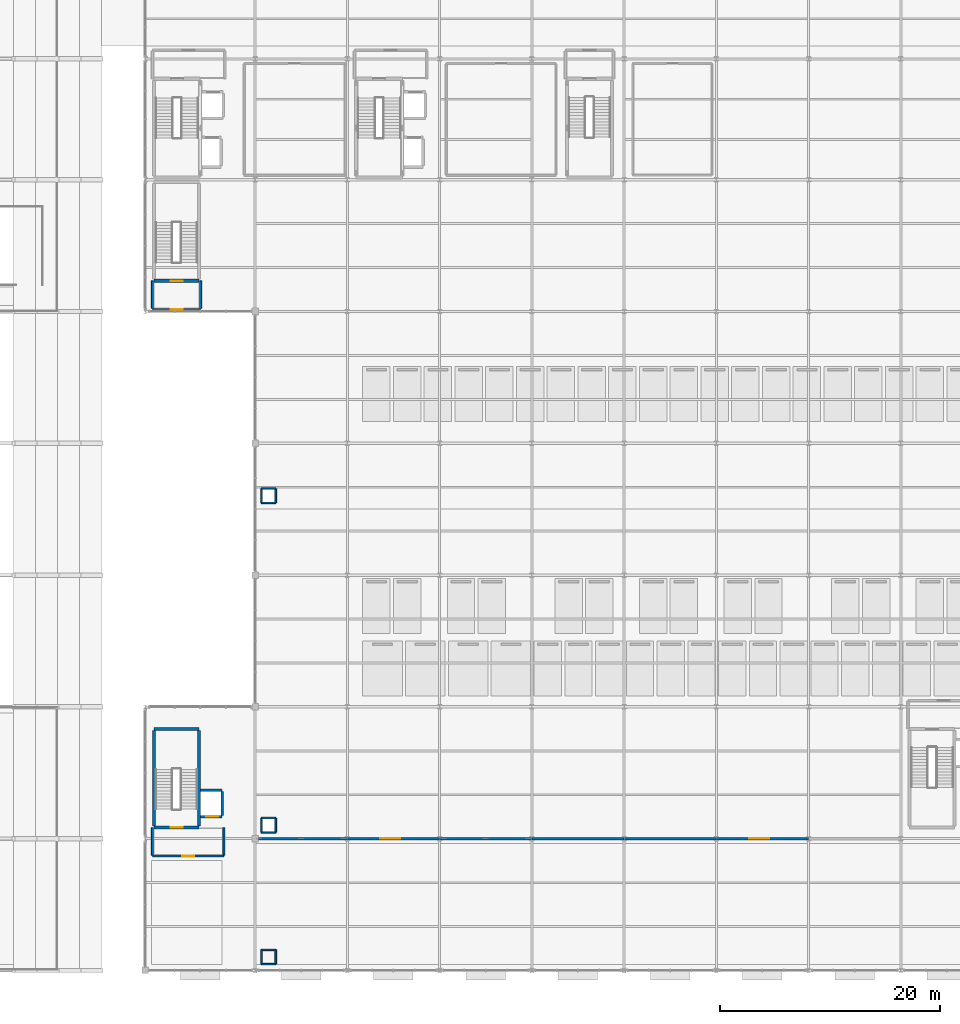
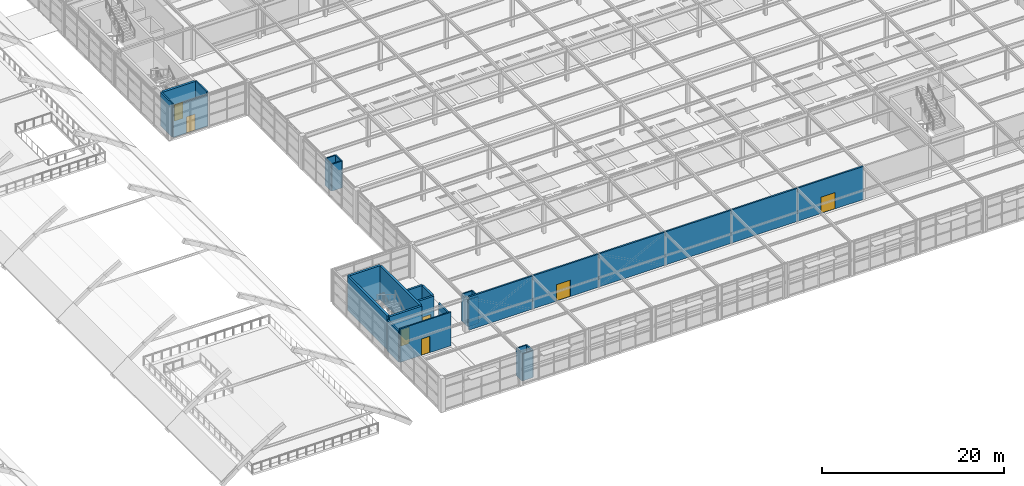
# One storey, part 62 of 82: 32 walls, 7 doors, 7 openings.
"""IFC4 building model written with IfcOpenShell, lengths in metres."""

from ifc_helpers import new_model, si_unit, direction, frame, frame_2d, origin, place, context, subcontext, project, spatial, rectangle, extrude, material, layer, layer_set, type_object, element, fill, save


model = new_model("IFC4")

# Units and contexts
model_context = context("Model", 3, precision=1e-05, world=origin(), true_north=direction((0.0, 1.0)))
body_context = subcontext(model_context, "Body", "Model", "MODEL_VIEW")
ifc_project = project(units=[si_unit("LENGTHUNIT", "METRE"), si_unit("AREAUNIT", "SQUARE_METRE"), si_unit("VOLUMEUNIT", "CUBIC_METRE"), si_unit("PLANEANGLEUNIT", "RADIAN"), si_unit("MASSUNIT", "GRAM", prefix="KILO")], contexts=[model_context])

# Site, building, storey
site_placement = place(None, origin())
site = spatial("IfcSite", under=ifc_project, at=site_placement, CompositionType="ELEMENT")
building_placement = place(site_placement, origin())
building = spatial("IfcBuilding", under=site, at=building_placement, Name="Sitalva Quay Ferry Terminal", CompositionType="ELEMENT")
storey_placement = place(building_placement, frame((0.0, 0.0, 5.39990234375)))
storey = spatial("IfcBuildingStorey", under=building, at=storey_placement, Name="L02", CompositionType="ELEMENT", Elevation=5.39990234375)

# Wall, opening, door
ifc_material_1 = material(Name="Concrete C40/50", Category="concrete")
ifc_layer_1 = layer(ifc_material_1, 0.280029296875)
ifc_layer_set_1 = layer_set([ifc_layer_1], Name="Concrete C40/50")
wall_type_1 = type_object("IfcWallType", Name="Wall_CoreShear_280", PredefinedType="SHEAR", material=ifc_layer_set_1)
wall_1_placement = place(storey_placement, frame((74.800048828125, 19.0, 0.0), z_axis=(0.0, 0.0, 1.0), x_axis=(1.0, 0.0, 0.0)))
wall_1 = element("IfcWall", 1, at=wall_1_placement, inside=storey, type_object=wall_type_1, Name="Core C6 L02 south shear wall", PredefinedType="SHEAR", context=body_context, shape_type="SweptSolid", body=[
    extrude(rectangle(XDim=4.099853515625, YDim=0.280029296875, at=frame_2d((2.0498046875, 0.0))), origin(), (0.0, 0.0, 1.0), 4.5400390625),
])
opening_1_placement = place(wall_1_placement, frame((1.5, 0.0, 0.0)))
opening_1 = element("IfcOpeningElement", 2, at=opening_1_placement, cuts=wall_1, Name="Opening D-L02-023", PredefinedType="OPENING", context=body_context, shape_type="SweptSolid", body=[
    extrude(rectangle(XDim=1.10009765625, YDim=2.199951171875, at=frame_2d((0.550048828125, 1.10009765625))), frame((0.0, 0.14990234375, 0.0), z_axis=(0.0, -1.0, 0.0), x_axis=(1.0, 0.0, 0.0)), (0.0, 0.0, 1.0), 0.300048828125),
])
ifc_material_2 = material(Name="Galvanised Steel Fire Door", Category="steel")
door_type_1 = type_object("IfcDoorType", Name="Door_CoreExit_1100x2200", OperationType="SINGLE_SWING_LEFT", PredefinedType="DOOR", material=ifc_material_2)
door_1_placement = place(opening_1_placement, origin())
door_1 = element("IfcDoor", 3, at=door_1_placement, inside=storey, type_object=door_type_1, Name="DOOR-D-L02-023 Protected stair ST-06 door D-L02-023", OperationType="SINGLE_SWING_LEFT", OverallHeight=2.199951171875, OverallWidth=1.10009765625, PredefinedType="DOOR", context=body_context, shape_type="SweptSolid", body=[
    extrude(rectangle(XDim=1.10009765625, YDim=2.199951171875, at=frame_2d((0.550048828125, 1.10009765625))), frame((0.0, 0.02490234375, 0.0), z_axis=(0.0, -1.0, 0.0), x_axis=(1.0, 0.0, 0.0)), (0.0, 0.0, 1.0), 0.050048828125),
])
fill(opening_1, door_1)

# Walls
wall_2_placement = place(storey_placement, frame((74.800048828125, 28.0, 0.0), z_axis=(0.0, 0.0, 1.0), x_axis=(1.0, 0.0, 0.0)))
element("IfcWall", 4, at=wall_2_placement, inside=storey, type_object=wall_type_1, Name="Core C6 L02 north shear wall", PredefinedType="SHEAR", context=body_context, shape_type="SweptSolid", body=[
    extrude(rectangle(XDim=4.099853515625, YDim=0.280029296875, at=frame_2d((2.0498046875, 0.0))), origin(), (0.0, 0.0, 1.0), 4.5400390625),
])
for number, where, z_axis, x_axis, name in (
    (5, (74.800048828125, 19.139892578125, 0.0), (0.0, 0.0, 1.0), (0.0, 1.0, 0.0), "Core C6 L02 west shear wall"),
    (6, (78.89990234375, 19.139892578125, 0.0), (0.0, 0.0, 1.0), (0.0, 1.0, 0.0), "Core C6 L02 east shear wall"),
):
    element("IfcWall", number, at=place(storey_placement, frame(where, z_axis=z_axis, x_axis=x_axis)), inside=storey, type_object=wall_type_1, Name=name, PredefinedType="SHEAR", context=body_context, shape_type="SweptSolid", body=[
        extrude(rectangle(XDim=8.72021484375, YDim=0.280029296875, at=frame_2d((4.360107421875, 0.0))), origin(), (0.0, 0.0, 1.0), 4.5400390625),
    ])

# Wall, opening, door
wall_3_placement = place(storey_placement, frame((74.800048828125, 68.800048828125, 0.0), z_axis=(0.0, 0.0, 1.0), x_axis=(1.0, 0.0, 0.0)))
wall_3 = element("IfcWall", 7, at=wall_3_placement, inside=storey, type_object=wall_type_1, Name="Core C11 L02 south shear wall", PredefinedType="SHEAR", context=body_context, shape_type="SweptSolid", body=[
    extrude(rectangle(XDim=4.099853515625, YDim=0.280029296875, at=frame_2d((2.0498046875, 0.0))), origin(), (0.0, 0.0, 1.0), 4.5),
])
opening_2_placement = place(wall_3_placement, frame((1.5, 0.0, 0.0)))
opening_2 = element("IfcOpeningElement", 8, at=opening_2_placement, cuts=wall_3, Name="Opening D-L02-040", PredefinedType="OPENING", context=body_context, shape_type="SweptSolid", body=[
    extrude(rectangle(XDim=1.10009765625, YDim=2.199951171875, at=frame_2d((0.550048828125, 1.10009765625))), frame((0.0, 0.14990234375, 0.0), z_axis=(0.0, -1.0, 0.0), x_axis=(1.0, 0.0, 0.0)), (0.0, 0.0, 1.0), 0.300048828125),
])
door_2_placement = place(opening_2_placement, origin())
door_2 = element("IfcDoor", 9, at=door_2_placement, inside=storey, type_object=door_type_1, Name="DOOR-D-L02-040 Protected stair ST-13 door D-L02-040", OperationType="SINGLE_SWING_RIGHT", OverallHeight=2.199951171875, OverallWidth=1.10009765625, PredefinedType="DOOR", context=body_context, shape_type="SweptSolid", body=[
    extrude(rectangle(XDim=1.10009765625, YDim=2.199951171875, at=frame_2d((0.550048828125, 1.10009765625))), frame((0.0, 0.02490234375, 0.0), z_axis=(0.0, -1.0, 0.0), x_axis=(1.0, 0.0, 0.0)), (0.0, 0.0, 1.0), 0.050048828125),
])
fill(opening_2, door_2)

# Wall
ifc_material_3 = material(Name="Concrete Blockwork C25/30", Category="masonry")
ifc_layer_2 = layer(ifc_material_3, 0.199951171875)
ifc_layer_set_2 = layer_set([ifc_layer_2], Name="Concrete Blockwork C25/30")
wall_type_2 = type_object("IfcWallType", Name="Wall_FireComp_200", PredefinedType="SOLIDWALL", material=ifc_layer_set_2)
wall_4_placement = place(storey_placement, frame((84.300048828125, 18.0, 0.0), z_axis=(0.0, 0.0, 1.0), x_axis=(1.0, 0.0, 0.0)))
element("IfcWall", 10, at=wall_4_placement, inside=storey, type_object=wall_type_2, Name="L02 concourse-to-deck fire wall IW-L02-0201", PredefinedType="SOLIDWALL", context=body_context, shape_type="SweptSolid", body=[
    extrude(rectangle(XDim=8.094970703125, YDim=0.199951171875, at=frame_2d((4.04736328125, 0.0))), origin(), (0.0, 0.0, 1.0), 4.4501953125),
])

# Wall, opening, door
wall_5_placement = place(storey_placement, frame((92.405029296875, 18.0, 0.0), z_axis=(0.0, 0.0, 1.0), x_axis=(1.0, 0.0, 0.0)))
wall_5 = element("IfcWall", 11, at=wall_5_placement, inside=storey, type_object=wall_type_2, Name="L02 concourse-to-deck fire wall IW-L02-0202", PredefinedType="SOLIDWALL", context=body_context, shape_type="SweptSolid", body=[
    extrude(rectangle(XDim=8.389892578125, YDim=0.199951171875, at=frame_2d((4.19482421875, 0.0))), origin(), (0.0, 0.0, 1.0), 4.4501953125),
])
opening_3_placement = place(wall_5_placement, frame((3.0, 0.0, 0.0)))
opening_3 = element("IfcOpeningElement", 12, at=opening_3_placement, cuts=wall_5, Name="Opening ID-L02-071", PredefinedType="OPENING", context=body_context, shape_type="SweptSolid", body=[
    extrude(rectangle(XDim=1.800048828125, YDim=2.199951171875, at=frame_2d((0.89990234375, 1.10009765625))), frame((0.0, 0.10986328125, 0.0), z_axis=(0.0, -1.0, 0.0), x_axis=(1.0, 0.0, 0.0)), (0.0, 0.0, 1.0), 0.219970703125),
])
ifc_material_4 = material(Name="Glazed Steel Fire Door", Category="steel")
door_type_2 = type_object("IfcDoorType", Name="Door_FireCorridor_1800x2200", OperationType="DOUBLE_DOOR_SINGLE_SWING", PredefinedType="DOOR", material=ifc_material_4)
door_3_placement = place(opening_3_placement, origin())
door_3 = element("IfcDoor", 13, at=door_3_placement, inside=storey, type_object=door_type_2, Name="IDOOR-ID-L02-071 L02 deck passenger vestibule door ID-L02-071", OperationType="DOUBLE_DOOR_SINGLE_SWING", OverallHeight=2.199951171875, OverallWidth=1.800048828125, PredefinedType="DOOR", context=body_context, shape_type="SweptSolid", body=[
    extrude(rectangle(XDim=1.800048828125, YDim=2.199951171875, at=frame_2d((0.89990234375, 1.10009765625))), frame((0.0, 0.02490234375, 0.0), z_axis=(0.0, -1.0, 0.0), x_axis=(1.0, 0.0, 0.0)), (0.0, 0.0, 1.0), 0.050048828125),
])
fill(opening_3, door_3)

# Walls
wall_6_placement = place(storey_placement, frame((100.804931640625, 18.0, 0.0), z_axis=(0.0, 0.0, 1.0), x_axis=(1.0, 0.0, 0.0)))
element("IfcWall", 14, at=wall_6_placement, inside=storey, type_object=wall_type_2, Name="L02 concourse-to-deck fire wall IW-L02-0203", PredefinedType="SOLIDWALL", context=body_context, shape_type="SweptSolid", body=[
    extrude(rectangle(XDim=8.39013671875, YDim=0.199951171875, at=frame_2d((4.195068359375, 0.0))), origin(), (0.0, 0.0, 1.0), 4.4501953125),
])
wall_7_placement = place(storey_placement, frame((109.205078125, 18.0, 0.0), z_axis=(0.0, 0.0, 1.0), x_axis=(1.0, 0.0, 0.0)))
element("IfcWall", 15, at=wall_7_placement, inside=storey, type_object=wall_type_2, Name="L02 concourse-to-deck fire wall IW-L02-0204", PredefinedType="SOLIDWALL", context=body_context, shape_type="SweptSolid", body=[
    extrude(rectangle(XDim=8.389892578125, YDim=0.199951171875, at=frame_2d((4.19482421875, 0.0))), origin(), (0.0, 0.0, 1.0), 4.4501953125),
])
wall_8_placement = place(storey_placement, frame((117.60498046875, 18.0, 0.0), z_axis=(0.0, 0.0, 1.0), x_axis=(1.0, 0.0, 0.0)))
element("IfcWall", 16, at=wall_8_placement, inside=storey, type_object=wall_type_2, Name="L02 concourse-to-deck fire wall IW-L02-0205", PredefinedType="SOLIDWALL", context=body_context, shape_type="SweptSolid", body=[
    extrude(rectangle(XDim=8.39013671875, YDim=0.199951171875, at=frame_2d((4.195068359375, 0.0))), origin(), (0.0, 0.0, 1.0), 4.4501953125),
])

# Wall, opening, door
wall_9_placement = place(storey_placement, frame((126.0048828125, 18.0, 0.0), z_axis=(0.0, 0.0, 1.0), x_axis=(1.0, 0.0, 0.0)))
wall_9 = element("IfcWall", 17, at=wall_9_placement, inside=storey, type_object=wall_type_2, Name="L02 concourse-to-deck fire wall IW-L02-0206", PredefinedType="SOLIDWALL", context=body_context, shape_type="SweptSolid", body=[
    extrude(rectangle(XDim=8.39013671875, YDim=0.199951171875, at=frame_2d((4.195068359375, 0.0))), origin(), (0.0, 0.0, 1.0), 4.4501953125),
])
opening_4_placement = place(wall_9_placement, frame((3.0, 0.0, 0.0)))
opening_4 = element("IfcOpeningElement", 18, at=opening_4_placement, cuts=wall_9, Name="Opening ID-L02-072", PredefinedType="OPENING", context=body_context, shape_type="SweptSolid", body=[
    extrude(rectangle(XDim=1.800048828125, YDim=2.199951171875, at=frame_2d((0.89990234375, 1.10009765625))), frame((0.0, 0.10986328125, 0.0), z_axis=(0.0, -1.0, 0.0), x_axis=(1.0, 0.0, 0.0)), (0.0, 0.0, 1.0), 0.219970703125),
])
door_4_placement = place(opening_4_placement, origin())
door_4 = element("IfcDoor", 19, at=door_4_placement, inside=storey, type_object=door_type_2, Name="IDOOR-ID-L02-072 L02 deck passenger vestibule door ID-L02-072", OperationType="DOUBLE_DOOR_SINGLE_SWING", OverallHeight=2.199951171875, OverallWidth=1.800048828125, PredefinedType="DOOR", context=body_context, shape_type="SweptSolid", body=[
    extrude(rectangle(XDim=1.800048828125, YDim=2.199951171875, at=frame_2d((0.89990234375, 1.10009765625))), frame((0.0, 0.02490234375, 0.0), z_axis=(0.0, -1.0, 0.0), x_axis=(1.0, 0.0, 0.0)), (0.0, 0.0, 1.0), 0.050048828125),
])
fill(opening_4, door_4)

ifc_material_5 = material(Name="Fire-Rated Blockwork C25/30", Category="masonry")
ifc_layer_3 = layer(ifc_material_5, 0.179931640625)
ifc_layer_set_3 = layer_set([ifc_layer_3], Name="Fire-Rated Blockwork C25/30")
wall_type_3 = type_object("IfcWallType", Name="Wall_FireLobby_180", PredefinedType="SOLIDWALL", material=ifc_layer_set_3)
wall_10_placement = place(storey_placement, frame((74.64990234375, 16.39990234375, 0.0), z_axis=(0.0, 0.0, 1.0), x_axis=(1.0, 0.0, 0.0)))
wall_10 = element("IfcWall", 20, at=wall_10_placement, inside=storey, type_object=wall_type_3, Name="Firefighting & Lift Lobby C6 S wall IW-L02-0061", PredefinedType="SOLIDWALL", context=body_context, shape_type="SweptSolid", body=[
    extrude(rectangle(XDim=6.5, YDim=0.179931640625, at=frame_2d((3.25, 0.0))), origin(), (0.0, 0.0, 1.0), 4.5),
])
opening_5_placement = place(wall_10_placement, frame((2.699951171875, 0.0, 0.0)))
opening_5 = element("IfcOpeningElement", 21, at=opening_5_placement, cuts=wall_10, Name="Opening ID-L02-021", PredefinedType="OPENING", context=body_context, shape_type="SweptSolid", body=[
    extrude(rectangle(XDim=1.10009765625, YDim=2.199951171875, at=frame_2d((0.550048828125, 1.10009765625))), frame((0.0, 0.099853515625, 0.0), z_axis=(0.0, -1.0, 0.0), x_axis=(1.0, 0.0, 0.0)), (0.0, 0.0, 1.0), 0.199951171875),
])
ifc_material_6 = material(Name="Steel Fire Door", Category="steel")
door_type_3 = type_object("IfcDoorType", Name="Door_FireLobby_1100x2200", OperationType="SINGLE_SWING_LEFT", PredefinedType="DOOR", material=ifc_material_6)
door_5_placement = place(opening_5_placement, origin())
door_5 = element("IfcDoor", 22, at=door_5_placement, inside=storey, type_object=door_type_3, Name="IDOOR-ID-L02-021 Firefighting & Lift Lobby C6 entrance ID-L02-021", OperationType="SINGLE_SWING_LEFT", OverallHeight=2.199951171875, OverallWidth=1.10009765625, PredefinedType="DOOR", context=body_context, shape_type="SweptSolid", body=[
    extrude(rectangle(XDim=1.10009765625, YDim=2.199951171875, at=frame_2d((0.550048828125, 1.10009765625))), frame((0.0, 0.02490234375, 0.0), z_axis=(0.0, -1.0, 0.0), x_axis=(1.0, 0.0, 0.0)), (0.0, 0.0, 1.0), 0.050048828125),
])
fill(opening_5, door_5)

# Walls
for number, where, z_axis, x_axis, name in (
    (23, (74.64990234375, 16.489990234375, 0.0), (0.0, 0.0, 1.0), (0.0, 1.0, 0.0), "Firefighting & Lift Lobby C6 W wall IW-L02-0062"),
    (24, (81.14990234375, 16.489990234375, 0.0), (0.0, 0.0, 1.0), (0.0, 1.0, 0.0), "Firefighting & Lift Lobby C6 E wall IW-L02-0063"),
):
    element("IfcWall", number, at=place(storey_placement, frame(where, z_axis=z_axis, x_axis=x_axis)), inside=storey, type_object=wall_type_3, Name=name, PredefinedType="SOLIDWALL", context=body_context, shape_type="SweptSolid", body=[
        extrude(rectangle(XDim=2.510009765625, YDim=0.179931640625, at=frame_2d((1.2548828125, 0.0))), origin(), (0.0, 0.0, 1.0), 4.123046875),
    ])

# Wall, opening, door
wall_11_placement = place(storey_placement, frame((74.64990234375, 66.199951171875, 0.0), z_axis=(0.0, 0.0, 1.0), x_axis=(1.0, 0.0, 0.0)))
wall_11 = element("IfcWall", 25, at=wall_11_placement, inside=storey, type_object=wall_type_3, Name="Firefighting & Lift Lobby C11 S wall IW-L02-0099", PredefinedType="SOLIDWALL", context=body_context, shape_type="SweptSolid", body=[
    extrude(rectangle(XDim=4.400146484375, YDim=0.179931640625, at=frame_2d((2.2001953125, 0.0))), origin(), (0.0, 0.0, 1.0), 4.197021484375),
])
opening_6_placement = place(wall_11_placement, frame((1.64990234375, 0.0, 0.0)))
opening_6 = element("IfcOpeningElement", 26, at=opening_6_placement, cuts=wall_11, Name="Opening ID-L02-034", PredefinedType="OPENING", context=body_context, shape_type="SweptSolid", body=[
    extrude(rectangle(XDim=1.10009765625, YDim=2.199951171875, at=frame_2d((0.550048828125, 1.10009765625))), frame((0.0, 0.099853515625, 0.0), z_axis=(0.0, -1.0, 0.0), x_axis=(1.0, 0.0, 0.0)), (0.0, 0.0, 1.0), 0.199951171875),
])
door_6_placement = place(opening_6_placement, origin())
door_6 = element("IfcDoor", 27, at=door_6_placement, inside=storey, type_object=door_type_3, Name="IDOOR-ID-L02-034 Firefighting & Lift Lobby C11 entrance ID-L02-034", OperationType="SINGLE_SWING_RIGHT", OverallHeight=2.199951171875, OverallWidth=1.10009765625, PredefinedType="DOOR", context=body_context, shape_type="SweptSolid", body=[
    extrude(rectangle(XDim=1.10009765625, YDim=2.199951171875, at=frame_2d((0.550048828125, 1.10009765625))), frame((0.0, 0.02490234375, 0.0), z_axis=(0.0, -1.0, 0.0), x_axis=(1.0, 0.0, 0.0)), (0.0, 0.0, 1.0), 0.050048828125),
])
fill(opening_6, door_6)

# Walls
for number, where, z_axis, x_axis, name in (
    (28, (74.64990234375, 66.2900390625, 0.0), (0.0, 0.0, 1.0), (0.0, 1.0, 0.0), "Firefighting & Lift Lobby C11 W wall IW-L02-0100"),
    (29, (79.050048828125, 66.2900390625, 0.0), (0.0, 0.0, 1.0), (0.0, 1.0, 0.0), "Firefighting & Lift Lobby C11 E wall IW-L02-0101"),
):
    element("IfcWall", number, at=place(storey_placement, frame(where, z_axis=z_axis, x_axis=x_axis)), inside=storey, type_object=wall_type_3, Name=name, PredefinedType="SOLIDWALL", context=body_context, shape_type="SweptSolid", body=[
        extrude(rectangle(XDim=2.510009765625, YDim=0.179931640625, at=frame_2d((1.2548828125, 0.0))), origin(), (0.0, 0.0, 1.0), 4.5),
    ])

# Wall, opening, door
ifc_material_7 = material(Name="Concrete C35/45", Category="concrete")
ifc_layer_4 = layer(ifc_material_7, 0.25)
ifc_layer_set_4 = layer_set([ifc_layer_4], Name="Concrete C35/45")
wall_type_4 = type_object("IfcWallType", Name="Wall_LiftShaft_250", PredefinedType="SOLIDWALL", material=ifc_layer_set_4)
wall_12_placement = place(storey_placement, frame((79.044921875, 20.0, 0.0), z_axis=(0.0, 0.0, 1.0), x_axis=(1.0, 0.0, 0.0)))
wall_12 = element("IfcWall", 30, at=wall_12_placement, inside=storey, type_object=wall_type_4, Name="Lift LF-06 L02 south shaft wall", PredefinedType="SOLIDWALL", context=body_context, shape_type="SweptSolid", body=[
    extrude(rectangle(XDim=1.955078125, YDim=0.25, at=frame_2d((0.9775390625, 0.0))), origin(), (0.0, 0.0, 1.0), 4.5400390625),
])
opening_7_placement = place(wall_12_placement, frame((0.5, 0.0, 0.0)))
opening_7 = element("IfcOpeningElement", 31, at=opening_7_placement, cuts=wall_12, Name="Opening LD-LF-06-L02", PredefinedType="OPENING", context=body_context, shape_type="SweptSolid", body=[
    extrude(rectangle(XDim=1.10009765625, YDim=2.199951171875, at=frame_2d((0.550048828125, 1.10009765625))), frame((0.0, 0.135009765625, 0.0), z_axis=(0.0, -1.0, 0.0), x_axis=(1.0, 0.0, 0.0)), (0.0, 0.0, 1.0), 0.27001953125),
])
ifc_material_8 = material(Name="Stainless Steel 316L Fire Landing Door", Category="steel")
door_type_4 = type_object("IfcDoorType", Name="Door_LiftLanding_1100x2200", OperationType="SLIDING_TO_LEFT", PredefinedType="DOOR", material=ifc_material_8)
door_7_placement = place(opening_7_placement, origin())
door_7 = element("IfcDoor", 32, at=door_7_placement, inside=storey, type_object=door_type_4, Name="DOOR-LD-LF-06-L02 Lift LF-06 sliding landing door LD-LF-06-L02", OperationType="SLIDING_TO_LEFT", OverallHeight=2.199951171875, OverallWidth=1.10009765625, PredefinedType="DOOR", context=body_context, shape_type="SweptSolid", body=[
    extrude(rectangle(XDim=1.10009765625, YDim=2.199951171875, at=frame_2d((0.550048828125, 1.10009765625))), frame((0.0, 0.02490234375, 0.0), z_axis=(0.0, -1.0, 0.0), x_axis=(1.0, 0.0, 0.0)), (0.0, 0.0, 1.0), 0.050048828125),
])
fill(opening_7, door_7)

# Walls
wall_13_placement = place(storey_placement, frame((79.044921875, 22.39990234375, 0.0), z_axis=(0.0, 0.0, 1.0), x_axis=(1.0, 0.0, 0.0)))
element("IfcWall", 33, at=wall_13_placement, inside=storey, type_object=wall_type_4, Name="Lift LF-06 L02 north shaft wall", PredefinedType="SOLIDWALL", context=body_context, shape_type="SweptSolid", body=[
    extrude(rectangle(XDim=1.955078125, YDim=0.25, at=frame_2d((0.9775390625, 0.0))), origin(), (0.0, 0.0, 1.0), 4.5400390625),
])
wall_14_placement = place(storey_placement, frame((81.0, 20.125, 0.0), z_axis=(0.0, 0.0, 1.0), x_axis=(0.0, 1.0, 0.0)))
element("IfcWall", 34, at=wall_14_placement, inside=storey, type_object=wall_type_4, Name="Lift LF-06 L02 east shaft wall", PredefinedType="SOLIDWALL", context=body_context, shape_type="SweptSolid", body=[
    extrude(rectangle(XDim=2.14990234375, YDim=0.25, at=frame_2d((1.074951171875, 0.0))), origin(), (0.0, 0.0, 1.0), 4.5400390625),
])
ifc_material_9 = material(Name="Concrete C35/45", Category="concrete")
ifc_layer_5 = layer(ifc_material_9, 0.14990234375)
ifc_layer_set_5 = layer_set([ifc_layer_5], Name="Concrete C35/45")
wall_type_5 = type_object("IfcWallType", Name="Wall_RiserShaft_150", PredefinedType="PLUMBINGWALL", material=ifc_layer_set_5)
for number, where, z_axis, x_axis, name in (
    (35, (84.574951171875, 6.574951171875, 0.0), (0.0, 0.0, 1.0), (1.0, 0.0, 0.0), "L02 service riser 003 wall S"),
    (36, (84.574951171875, 7.875, 0.0), (0.0, 0.0, 1.0), (1.0, 0.0, 0.0), "L02 service riser 003 wall N"),
    (37, (84.574951171875, 6.574951171875, 0.0), (0.0, 0.0, 1.0), (0.0, 1.0, 0.0), "L02 service riser 003 wall W"),
    (38, (85.875, 6.574951171875, 0.0), (0.0, 0.0, 1.0), (0.0, 1.0, 0.0), "L02 service riser 003 wall E"),
    (39, (84.574951171875, 18.574951171875, 0.0), (0.0, 0.0, 1.0), (1.0, 0.0, 0.0), "L02 service riser 004 wall S"),
    (40, (84.574951171875, 19.875, 0.0), (0.0, 0.0, 1.0), (1.0, 0.0, 0.0), "L02 service riser 004 wall N"),
    (41, (84.574951171875, 18.574951171875, 0.0), (0.0, 0.0, 1.0), (0.0, 1.0, 0.0), "L02 service riser 004 wall W"),
    (42, (85.875, 18.574951171875, 0.0), (0.0, 0.0, 1.0), (0.0, 1.0, 0.0), "L02 service riser 004 wall E"),
    (43, (84.574951171875, 48.574951171875, 0.0), (0.0, 0.0, 1.0), (1.0, 0.0, 0.0), "L02 service riser 005 wall S"),
    (44, (84.574951171875, 49.875, 0.0), (0.0, 0.0, 1.0), (1.0, 0.0, 0.0), "L02 service riser 005 wall N"),
    (45, (84.574951171875, 48.574951171875, 0.0), (0.0, 0.0, 1.0), (0.0, 1.0, 0.0), "L02 service riser 005 wall W"),
    (46, (85.875, 48.574951171875, 0.0), (0.0, 0.0, 1.0), (0.0, 1.0, 0.0), "L02 service riser 005 wall E"),
):
    element("IfcWall", number, at=place(storey_placement, frame(where, z_axis=z_axis, x_axis=x_axis)), inside=storey, type_object=wall_type_5, Name=name, PredefinedType="PLUMBINGWALL", context=body_context, shape_type="SweptSolid", body=[
        extrude(rectangle(XDim=1.300048828125, YDim=0.14990234375, at=frame_2d((0.64990234375, 0.0))), origin(), (0.0, 0.0, 1.0), 3.60009765625),
    ])

save(model, "model.ifc")
